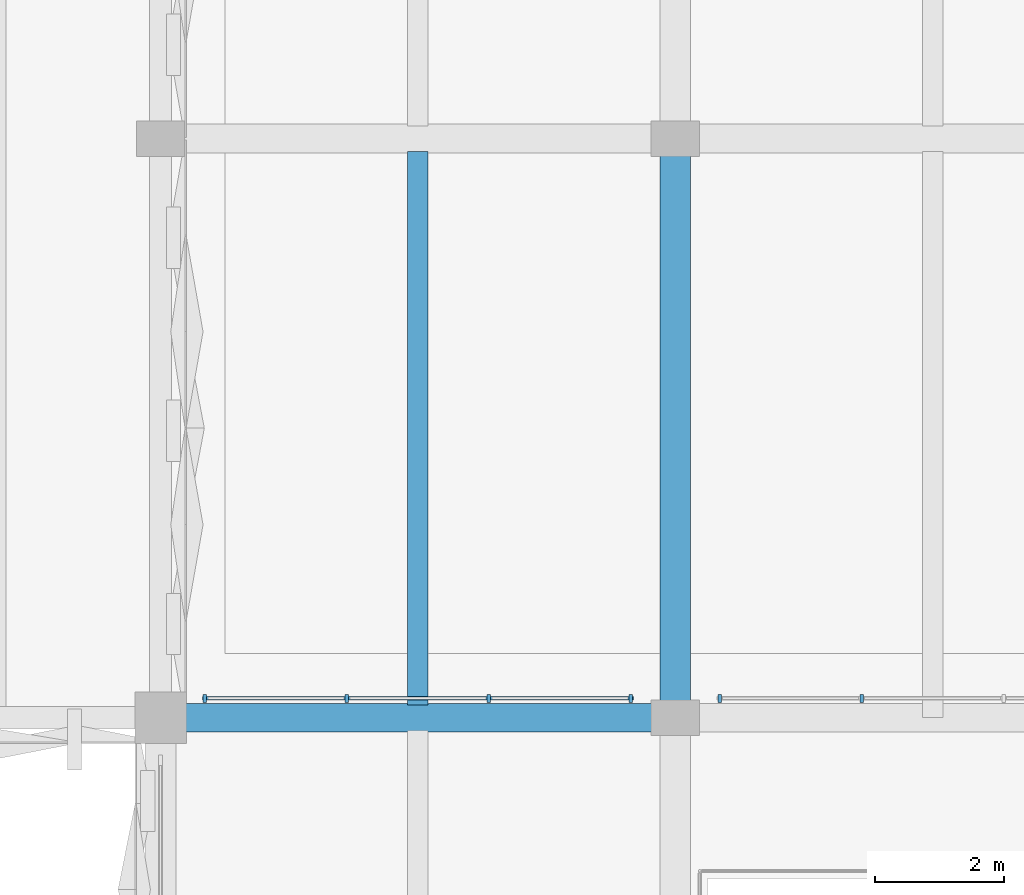
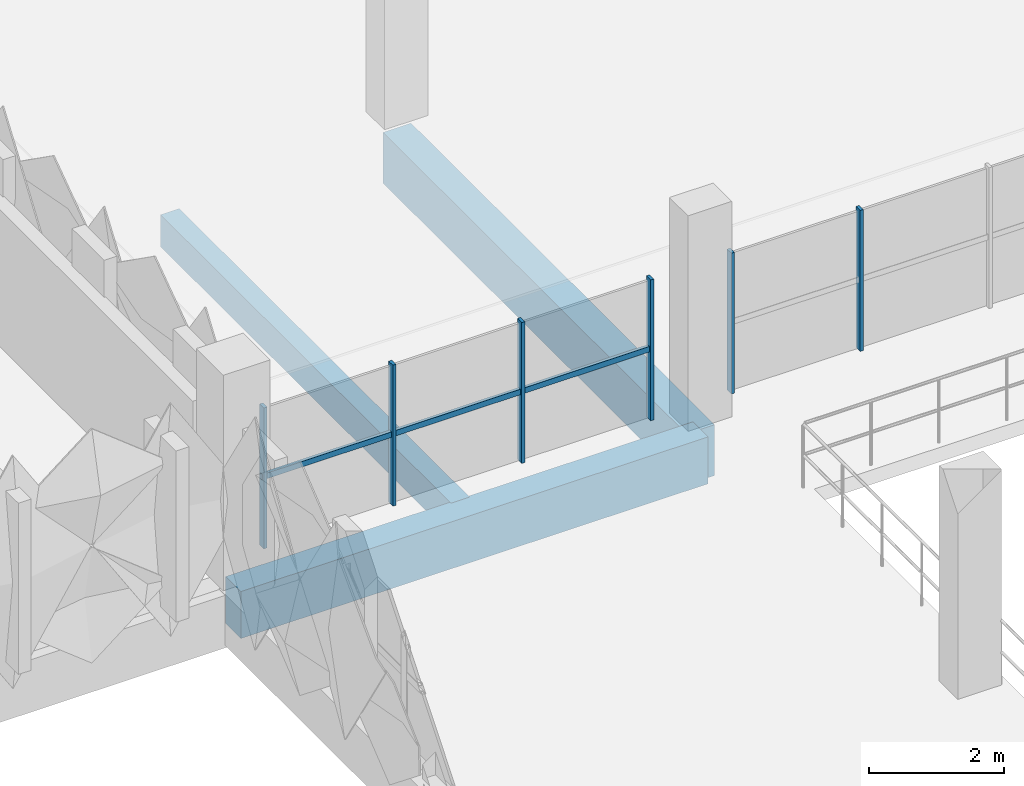
# One storey, part 50 of 123: 7 members, 3 beams, 2 elements without a shape of their own.
"""IFC4 building model written with IfcOpenShell, lengths in metres."""

from ifc_helpers import new_model, si_unit, derived_unit, direction, frame, origin, origin_2d, place, context, subcontext, project, spatial, rectangle, extrude, material, layer, layer_set, material_profile, profile_set, type_object, element, aggregate, save


model = new_model("IFC4")

# Units and contexts
model_context = context("Model", 3, precision=1e-05, world=origin(), true_north=direction((0.0, 1.0)))
body_context = subcontext(model_context, "Body", "Model", "MODEL_VIEW")
ifc_project = project(units=[si_unit("LENGTHUNIT", "METRE"), si_unit("AREAUNIT", "SQUARE_METRE"), si_unit("VOLUMEUNIT", "CUBIC_METRE"), si_unit("PLANEANGLEUNIT", "RADIAN"), si_unit("MASSUNIT", "GRAM", prefix="KILO"), si_unit("THERMODYNAMICTEMPERATUREUNIT", "KELVIN"), derived_unit("THERMALTRANSMITTANCEUNIT", [(si_unit("POWERUNIT", "WATT"), 1), (si_unit("AREAUNIT", "SQUARE_METRE"), -1), (si_unit("THERMODYNAMICTEMPERATUREUNIT", "KELVIN"), -1)])], contexts=[model_context])

# Site, building, storey
site_placement = place(None, origin())
site = spatial("IfcSite", under=ifc_project, at=site_placement, CompositionType="ELEMENT")
building_placement = place(site_placement, origin())
building = spatial("IfcBuilding", under=site, at=building_placement, Name="Haiyu Intermodal Mobility Hub", CompositionType="ELEMENT")
storey_placement = place(building_placement, frame((0.0, 0.0, 5.60009765625)))
storey = spatial("IfcBuildingStorey", under=building, at=storey_placement, Name="L01", CompositionType="ELEMENT", Elevation=5.60009765625)

# Beams
ifc_material_1 = material(Name="Concrete C40", Category="concrete")
ifc_material_profile_1 = material_profile(ifc_material_1, rectangle(XDim=0.449951171875, YDim=0.85009765625, at=origin_2d()), Name="RCB450x850")
ifc_profile_set_1 = profile_set([ifc_material_profile_1], Name="Concrete C40")
beam_type_1 = type_object("IfcBeamType", Name="BM-CB02", PredefinedType="BEAM", material=ifc_profile_set_1)
beam_1_placement = place(storey_placement, frame((162.0, 104.0, -0.68505859375), z_axis=(1.0, 0.0, 0.0), x_axis=(0.0, 1.0, 0.0)))
element("IfcBeam", 1, at=beam_1_placement, inside=storey, type_object=beam_type_1, Name="BM-V6G-L01-019", PredefinedType="BEAM", context=body_context, shape_type="SweptSolid", body=[
    extrude(rectangle(XDim=0.449951171875, YDim=0.85009765625, at=origin_2d()), origin(), (0.0, 0.0, 1.0), 8.0),
])
ifc_material_profile_2 = material_profile(ifc_material_1, rectangle(XDim=0.47998046875, YDim=0.919921875, at=origin_2d()), Name="B480x920")
ifc_profile_set_2 = profile_set([ifc_material_profile_2], Name="Concrete C40")
beam_type_2 = type_object("IfcBeamType", Name="BM-CB13", PredefinedType="BEAM", material=ifc_profile_set_2)
beam_2_placement = place(storey_placement, frame((170.0, 104.0, -0.72021484375), z_axis=(0.0, 1.0, 0.0), x_axis=(-1.0, 0.0, 0.0)))
element("IfcBeam", 2, at=beam_2_placement, inside=storey, type_object=beam_type_2, Name="BM-V6T-L01-012", PredefinedType="BEAM", context=body_context, shape_type="SweptSolid", body=[
    extrude(rectangle(XDim=0.47998046875, YDim=0.919921875, at=origin_2d()), origin(), (0.0, 0.0, 1.0), 9.0),
])
ifc_material_profile_3 = material_profile(ifc_material_1, rectangle(XDim=0.320068359375, YDim=0.580078125, at=origin_2d()), Name="B320x580")
ifc_profile_set_3 = profile_set([ifc_material_profile_3], Name="Concrete C40")
beam_type_3 = type_object("IfcBeamType", Name="BM-CB17", PredefinedType="JOIST", material=ifc_profile_set_3)
beam_3_placement = place(storey_placement, frame((166.0, 104.195068359375, -0.550048828125), z_axis=(0.0, 1.0, 0.0), x_axis=(-1.0, 0.0, 0.0)))
element("IfcBeam", 3, at=beam_3_placement, inside=storey, type_object=beam_type_3, Name="BM-V6J-L01-004", PredefinedType="JOIST", context=body_context, shape_type="SweptSolid", body=[
    extrude(rectangle(XDim=0.320068359375, YDim=0.580078125, at=origin_2d()), origin(), (0.0, 0.0, 1.0), 8.60986328125),
])

# Curtain wall, members
ifc_material_2 = material(Name="Low-e laminated insulating glass", Category="glass")
ifc_layer = layer(ifc_material_2, 0.179931640625)
ifc_layer_set = layer_set([ifc_layer], Name="Low-e laminated insulating glass")
curtain_wall_type = type_object("IfcCurtainWallType", Name="CW-CW06", PredefinedType="NOTDEFINED", material=ifc_layer_set)
curtain_wall_1_placement = place(storey_placement, origin())
curtain_wall_1 = element("IfcCurtainWall", 4, at=curtain_wall_1_placement, inside=storey, type_object=curtain_wall_type, Name="Curtain Wall CW-INT-03", PredefinedType="NOTDEFINED")
ifc_material_3 = material(Name="Anodised aluminium 6063-T6", Category="aluminium")
ifc_material_profile_4 = material_profile(ifc_material_3, rectangle(XDim=0.054931640625, YDim=0.125, at=origin_2d()), Name="ALU55x125")
ifc_profile_set_4 = profile_set([ifc_material_profile_4], Name="Anodised aluminium 6063-T6")
member_type_1 = type_object("IfcMemberType", Name="CWM-ML04", PredefinedType="MULLION", material=ifc_profile_set_4)
member_1_placement = place(storey_placement, frame((162.68994140625, 104.300048828125, 0.0), z_axis=(0.0, 0.0, 1.0), x_axis=(1.0, 0.0, 0.0)))
member_1 = element("IfcMember", 5, at=member_1_placement, type_object=member_type_1, Name="CW-INT-03-ML01", PredefinedType="MULLION", context=body_context, shape_type="SweptSolid", body=[
    extrude(rectangle(XDim=0.054931640625, YDim=0.125, at=origin_2d()), origin(), (0.0, 0.0, 1.0), 2.5498046875),
])
member_2_placement = place(storey_placement, frame((164.89697265625, 104.300048828125, 0.0), z_axis=(0.0, 0.0, 1.0), x_axis=(1.0, 0.0, 0.0)))
member_2 = element("IfcMember", 6, at=member_2_placement, type_object=member_type_1, Name="CW-INT-03-ML02", PredefinedType="MULLION", context=body_context, shape_type="SweptSolid", body=[
    extrude(rectangle(XDim=0.054931640625, YDim=0.125, at=origin_2d()), origin(), (0.0, 0.0, 1.0), 2.5498046875),
])
member_3_placement = place(storey_placement, frame((167.10302734375, 104.300048828125, 0.0), z_axis=(0.0, 0.0, 1.0), x_axis=(1.0, 0.0, 0.0)))
member_3 = element("IfcMember", 7, at=member_3_placement, type_object=member_type_1, Name="CW-INT-03-ML03", PredefinedType="MULLION", context=body_context, shape_type="SweptSolid", body=[
    extrude(rectangle(XDim=0.054931640625, YDim=0.125, at=origin_2d()), origin(), (0.0, 0.0, 1.0), 2.5498046875),
])
member_4_placement = place(storey_placement, frame((169.31005859375, 104.300048828125, 0.0), z_axis=(0.0, 0.0, 1.0), x_axis=(1.0, 0.0, 0.0)))
member_4 = element("IfcMember", 8, at=member_4_placement, type_object=member_type_1, Name="CW-INT-03-ML04", PredefinedType="MULLION", context=body_context, shape_type="SweptSolid", body=[
    extrude(rectangle(XDim=0.054931640625, YDim=0.125, at=origin_2d()), origin(), (0.0, 0.0, 1.0), 2.5498046875),
])

curtain_wall_2_placement = place(storey_placement, origin())
curtain_wall_2 = element("IfcCurtainWall", 9, at=curtain_wall_2_placement, inside=storey, type_object=curtain_wall_type, Name="Curtain Wall CW-INT-04", PredefinedType="NOTDEFINED")
member_5_placement = place(storey_placement, frame((170.68994140625, 104.300048828125, 0.0), z_axis=(0.0, 0.0, 1.0), x_axis=(1.0, 0.0, 0.0)))
member_5 = element("IfcMember", 10, at=member_5_placement, type_object=member_type_1, Name="CW-INT-04-ML01", PredefinedType="MULLION", context=body_context, shape_type="SweptSolid", body=[
    extrude(rectangle(XDim=0.054931640625, YDim=0.125, at=origin_2d()), origin(), (0.0, 0.0, 1.0), 2.5498046875),
])
member_6_placement = place(storey_placement, frame((172.89697265625, 104.300048828125, 0.0), z_axis=(0.0, 0.0, 1.0), x_axis=(1.0, 0.0, 0.0)))
member_6 = element("IfcMember", 11, at=member_6_placement, type_object=member_type_1, Name="CW-INT-04-ML02", PredefinedType="MULLION", context=body_context, shape_type="SweptSolid", body=[
    extrude(rectangle(XDim=0.054931640625, YDim=0.125, at=origin_2d()), origin(), (0.0, 0.0, 1.0), 2.5498046875),
])
aggregate(curtain_wall_2, [member_5, member_6])

# Member
ifc_material_profile_5 = material_profile(ifc_material_3, rectangle(XDim=0.054931640625, YDim=0.10009765625, at=origin_2d()), Name="ALU55x100")
ifc_profile_set_5 = profile_set([ifc_material_profile_5], Name="Anodised aluminium 6063-T6")
member_type_2 = type_object("IfcMemberType", Name="CWM-TR04", PredefinedType="USERDEFINED", material=ifc_profile_set_5)
member_7_placement = place(storey_placement, frame((162.64990234375, 104.300048828125, 1.27490234375), z_axis=(1.0, 0.0, 0.0), x_axis=(0.0, 1.0, 0.0)))
member_7 = element("IfcMember", 12, at=member_7_placement, type_object=member_type_2, Name="CW-INT-03-TR01", ObjectType="TRANSOM", PredefinedType="USERDEFINED", context=body_context, shape_type="SweptSolid", body=[
    extrude(rectangle(XDim=0.054931640625, YDim=0.10009765625, at=origin_2d()), origin(), (0.0, 0.0, 1.0), 6.7001953125),
])

aggregate(curtain_wall_1, [member_1, member_2, member_3, member_4, member_7])

save(model, "model.ifc")
